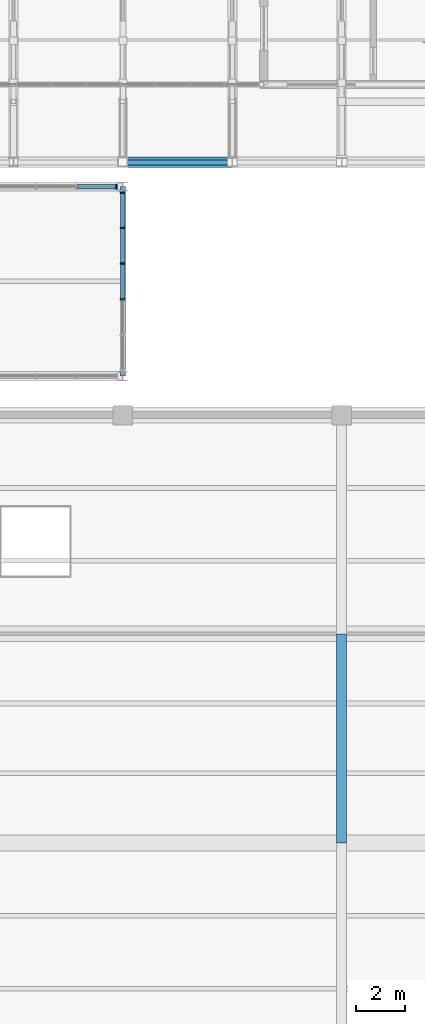
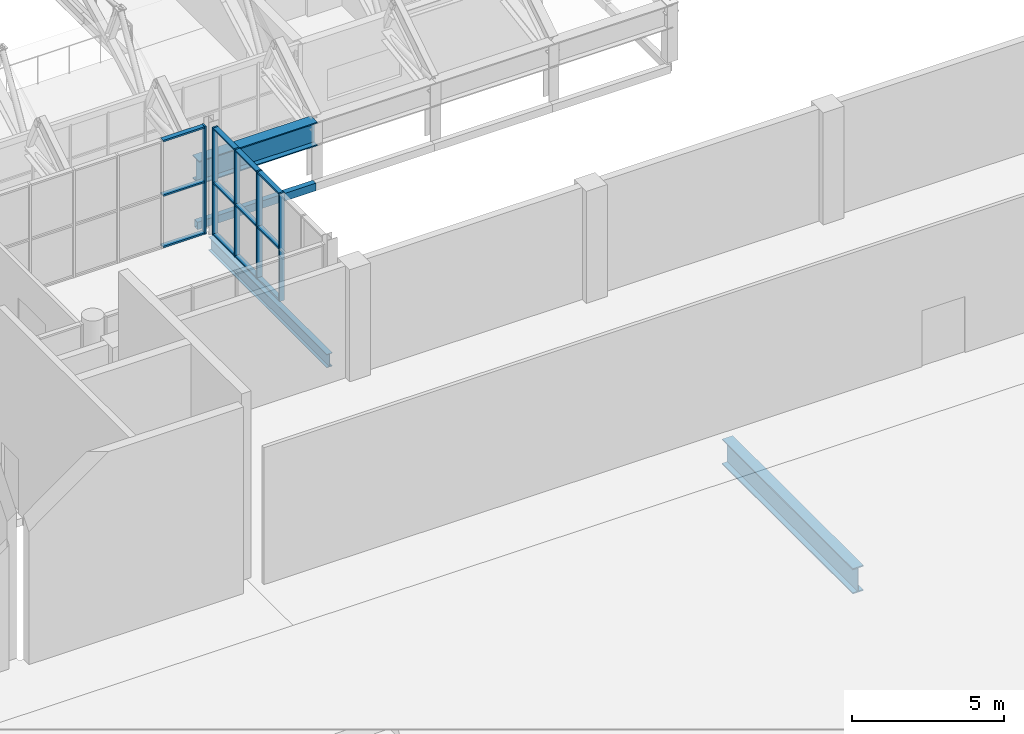
# One storey, part 76 of 134: 17 members, 4 beams, 2 elements without a shape of their own.
"""IFC4 building model written with IfcOpenShell, lengths in metres."""

import ifcopenshell
import ifcopenshell.guid

model = None  # the IFC model being written
_history = None  # IfcOwnerHistory: only IFC2X3 demands one
_inside = {}  # id of a spatial element -> (the spatial element, [elements in it])
_under = {}  # id of a project, library or spatial element -> (it, [spatial elements below it])
_declared = {}  # id of a project -> (the project, [libraries it declares])
_typed = {}  # id of a type object -> (the type object, [elements of that type])
_made_of = {}  # id of a material, layer set ... -> (it, [elements and type objects made of it])


def new_model(schema):
    """Start an empty IFC model of exactly this schema.

    Asked for "IFC4X3", IfcOpenShell would pick the latest addendum, in which some entities
    have other attributes; the version numbers below select the first issue.
    IFC2X3 requires an IfcOwnerHistory on every rooted entity: one is made here for all.
    """
    global model, _history
    if schema == "IFC4X3":
        model = ifcopenshell.file(schema_version=(4, 3, 0, 0))
    else:
        model = ifcopenshell.file(schema=schema)
    _inside.clear()
    _under.clear()
    _declared.clear()
    _typed.clear()
    _made_of.clear()
    _history = None
    if model.schema == "IFC2X3":
        org = make("IfcOrganization", Name="unknown")
        user = make(
            "IfcPersonAndOrganization",
            ThePerson=make("IfcPerson", FamilyName="unknown"),
            TheOrganization=org,
        )
        app = make(
            "IfcApplication",
            ApplicationDeveloper=org,
            Version="unknown",
            ApplicationFullName="unknown",
            ApplicationIdentifier="unknown",
        )
        _history = make(
            "IfcOwnerHistory",
            OwningUser=user,
            OwningApplication=app,
            ChangeAction="ADDED",
            CreationDate=0,
        )
    return model


def make(cls, **values):
    """One entity of the class cls with the attributes given. An attribute that is None is left unset."""
    return model.create_entity(
        cls, **{name: value for name, value in values.items() if value is not None}
    )


def rooted(cls, **values):
    """An entity with a GlobalId (a new one), such as an element, a storey or a relation."""
    return make(cls, GlobalId=ifcopenshell.guid.new(), OwnerHistory=_history, **values)


def si_unit(unit_type, name, prefix=None):
    """IfcSIUnit, for example si_unit("LENGTHUNIT", "METRE", prefix="MILLI")."""
    return make("IfcSIUnit", UnitType=unit_type, Prefix=prefix, Name=name)


def assignment(units):
    """IfcUnitAssignment: the units of a project."""
    return None if units is None else make("IfcUnitAssignment", Units=units)


def point(xyz):
    """IfcCartesianPoint."""
    return None if xyz is None else make("IfcCartesianPoint", Coordinates=xyz)


def direction(xyz):
    """IfcDirection."""
    return None if xyz is None else make("IfcDirection", DirectionRatios=xyz)


def frame(location, z_axis=None, x_axis=None):
    """IfcAxis2Placement3D, a coordinate frame: its origin and axes. An axis left out is left unset."""
    return make(
        "IfcAxis2Placement3D",
        Location=point(location),
        Axis=direction(z_axis),
        RefDirection=direction(x_axis),
    )


def frame_2d(location, x_axis=None):
    """IfcAxis2Placement2D, a coordinate frame in the plane: its origin and x axis."""
    return make(
        "IfcAxis2Placement2D", Location=point(location), RefDirection=direction(x_axis)
    )


def origin():
    """The frame at (0, 0, 0) with its axes left unset."""
    return frame((0.0, 0.0, 0.0))


def origin_2d():
    """The frame at (0, 0) in the plane with its x axis left unset."""
    return frame_2d((0.0, 0.0))


def place(relative_to, where):
    """IfcLocalPlacement: puts the frame where relative to a parent placement (None: the world)."""
    return make(
        "IfcLocalPlacement", PlacementRelTo=relative_to, RelativePlacement=where
    )


def context(
    kind, dimensions, precision=None, world=None, true_north=None, identifier=None
):
    """IfcGeometricRepresentationContext, for example the 3D "Model" context."""
    return make(
        "IfcGeometricRepresentationContext",
        ContextIdentifier=identifier,
        ContextType=kind,
        CoordinateSpaceDimension=dimensions,
        Precision=precision,
        WorldCoordinateSystem=world,
        TrueNorth=true_north,
    )


def subcontext(parent, identifier, kind, view, scale=None):
    """IfcGeometricRepresentationSubContext, for example "Body" below "Model"."""
    return make(
        "IfcGeometricRepresentationSubContext",
        ContextIdentifier=identifier,
        ContextType=kind,
        ParentContext=parent,
        TargetScale=scale,
        TargetView=view,
    )


def project(units=None, contexts=None):
    """IfcProject with its units and contexts."""
    return rooted(
        "IfcProject",
        Name="project",
        RepresentationContexts=contexts,
        UnitsInContext=assignment(units),
    )


def spatial(cls, under=None, at=None, **own):
    """A site, building, storey or space (cls), placed at a placement, below another one or the project."""
    s = rooted(cls, ObjectPlacement=at, **own)
    if under is not None:
        _under.setdefault(under.id(), (under, []))[1].append(s)
    return s


def profile(cls, at=None, kind="AREA", **sizes):
    """A parametric profile (cls). Its sizes go by their IFC names, for example OverallWidth=200.0."""
    return make(cls, ProfileType=kind, Position=at, **sizes)


def rectangle(**sizes):
    """IfcRectangleProfileDef."""
    return profile("IfcRectangleProfileDef", **sizes)


def hollow_rectangle(**sizes):
    """IfcRectangleHollowProfileDef."""
    return profile("IfcRectangleHollowProfileDef", **sizes)


def i_section(**sizes):
    """IfcIShapeProfileDef."""
    return profile("IfcIShapeProfileDef", **sizes)


def extrude(swept, where, along, depth):
    """IfcExtrudedAreaSolid: the profile swept, set in the frame where, extruded along a direction by depth."""
    return make(
        "IfcExtrudedAreaSolid",
        SweptArea=swept,
        Position=where,
        ExtrudedDirection=direction(along),
        Depth=depth,
    )


def shape(context_of_items, identifier, shape_type, items):
    """IfcShapeRepresentation: the items that make up one representation, for example the "Body"."""
    return make(
        "IfcShapeRepresentation",
        ContextOfItems=context_of_items,
        RepresentationIdentifier=identifier,
        RepresentationType=shape_type,
        Items=items,
    )


def material(Name=None, Category=None):
    """IfcMaterial."""
    return make("IfcMaterial", Name=Name, Category=Category)


def layer(
    of_material, thickness, ventilated=None, Name=None, Category=None, Priority=None
):
    """IfcMaterialLayer: one layer of a wall or slab, of a material (None: an air gap)."""
    return make(
        "IfcMaterialLayer",
        Material=of_material,
        LayerThickness=thickness,
        IsVentilated=ventilated,
        Name=Name,
        Category=Category,
        Priority=Priority,
    )


def layer_set(layers, Name=None):
    """IfcMaterialLayerSet."""
    return make("IfcMaterialLayerSet", MaterialLayers=layers, LayerSetName=Name)


def material_profile(
    of_material, cross_section, Name=None, Category=None, Priority=None
):
    """IfcMaterialProfile: a cross section and its material."""
    return make(
        "IfcMaterialProfile",
        Name=Name,
        Material=of_material,
        Profile=cross_section,
        Priority=Priority,
        Category=Category,
    )


def profile_set(profiles, Name=None, composite=None):
    """IfcMaterialProfileSet."""
    return make(
        "IfcMaterialProfileSet",
        Name=Name,
        MaterialProfiles=profiles,
        CompositeProfile=composite,
    )


def made_of(thing, what):
    """Note that an element or type object is made of a material, layer set ...; save() writes the relation."""
    if what is not None:
        _made_of.setdefault(what.id(), (what, []))[1].append(thing)
    return thing


def type_object(cls, material=None, **own):
    """A type object (cls), such as IfcWallType, which elements share."""
    return made_of(rooted(cls, **own), material)


def element(
    cls,
    number,
    at=None,
    inside=None,
    cuts=None,
    type_object=None,
    material=None,
    context=None,
    identifier="Body",
    shape_type=None,
    held_by="IfcProductDefinitionShape",
    body=None,
    shapes=None,
    **own,
):
    """One element of the class cls, such as IfcWall. Its Tag is "e" and its number.

    at: its placement. inside: the storey or other place that contains it. cuts: it is an
    opening in that element (IfcRelVoidsElement). A single representation is given by context,
    identifier, shape_type and body (its items); several are given by shapes. held_by: the class
    of the entity that holds the representations. save() writes the other relations.
    """
    e = rooted(cls, Tag="e%d" % number, ObjectPlacement=at, **own)
    if body is not None:
        shapes = [shape(context, identifier, shape_type, body)]
    if shapes is not None:
        e.Representation = make(held_by, Representations=shapes)
    if inside is not None:
        _inside.setdefault(inside.id(), (inside, []))[1].append(e)
    if cuts is not None:
        rooted(
            "IfcRelVoidsElement", RelatingBuildingElement=cuts, RelatedOpeningElement=e
        )
    if type_object is not None:
        _typed.setdefault(type_object.id(), (type_object, []))[1].append(e)
    return made_of(e, material)


def aggregate(whole, parts):
    """IfcRelAggregates: a whole, such as a stair, and the parts it consists of."""
    return rooted("IfcRelAggregates", RelatingObject=whole, RelatedObjects=parts)


def save(model, path):
    """Write the relations noted so far, then the file.

    IfcRelAggregates (storeys below a building ...), IfcRelContainedInSpatialStructure (elements
    in a storey), IfcRelDefinesByType, IfcRelAssociatesMaterial and IfcRelDeclares: one each for
    every whole, place, type object, material and project.
    """
    for whole, parts in _under.values():
        aggregate(whole, parts)
    for where, things in _inside.values():
        rooted(
            "IfcRelContainedInSpatialStructure",
            RelatedElements=things,
            RelatingStructure=where,
        )
    for kind, things in _typed.values():
        rooted("IfcRelDefinesByType", RelatedObjects=things, RelatingType=kind)
    for what, things in _made_of.values():
        rooted("IfcRelAssociatesMaterial", RelatedObjects=things, RelatingMaterial=what)
    for by, libraries in _declared.values():
        rooted("IfcRelDeclares", RelatingContext=by, RelatedDefinitions=libraries)
    model.write(path)


model = new_model("IFC4")

# Units and contexts
model_context = context("Model", 3, precision=1e-05, world=origin(), true_north=direction((0.0, 1.0)))
body_context = subcontext(model_context, "Body", "Model", "MODEL_VIEW")
ifc_project = project(units=[si_unit("LENGTHUNIT", "METRE"), si_unit("AREAUNIT", "SQUARE_METRE"), si_unit("VOLUMEUNIT", "CUBIC_METRE"), si_unit("PLANEANGLEUNIT", "RADIAN"), si_unit("MASSUNIT", "GRAM", prefix="KILO")], contexts=[model_context])

# Site, building, storey
site_placement = place(None, origin())
site = spatial("IfcSite", under=ifc_project, at=site_placement, CompositionType="ELEMENT")
building_placement = place(site_placement, origin())
building = spatial("IfcBuilding", under=site, at=building_placement, Name="Cazmaro Siding Exhibition Halls", CompositionType="ELEMENT")
storey_placement = place(building_placement, frame((0.0, 0.0, 12.0)))
storey = spatial("IfcBuildingStorey", under=building, at=storey_placement, Name="L02", CompositionType="ELEMENT", Elevation=12.0)

# Beam
ifc_material_1 = material(Name="Steel ASTM A992 Grade 50", Category="steel")
ifc_material_profile_1 = material_profile(ifc_material_1, i_section(OverallWidth=0.2099609375, OverallDepth=0.535888671875, WebThickness=0.010986328125, FlangeThickness=0.01708984375, at=origin_2d()), Name="W21X68")
ifc_profile_set_1 = profile_set([ifc_material_profile_1], Name="Steel ASTM A992 Grade 50")
beam_type_1 = type_object("IfcBeamType", Name="B-02", PredefinedType="BEAM", material=ifc_profile_set_1)
beam_1_placement = place(storey_placement, frame((153.0, 55.199951171875, -0.488037109375), z_axis=(0.0, 1.0, 0.0), x_axis=(-1.0, 0.0, 0.0)))
element("IfcBeam", 1, at=beam_1_placement, inside=storey, type_object=beam_type_1, Name="Beam B-02 BM-1724", PredefinedType="BEAM", context=body_context, shape_type="SweptSolid", body=[
    extrude(i_section(OverallWidth=0.2099609375, OverallDepth=0.535888671875, WebThickness=0.010986328125, FlangeThickness=0.01708984375, at=origin_2d()), origin(), (0.0, 0.0, 1.0), 7.800048828125),
])

# Curtain wall, member
ifc_material_2 = material(Name="Anodized Bronze Aluminum and Solar-Control Low-E Glazing", Category="aluminium")
ifc_layer = layer(ifc_material_2, 0.199951171875)
ifc_layer_set = layer_set([ifc_layer], Name="Anodized Bronze Aluminum and Solar-Control Low-E Glazing")
curtain_wall_type = type_object("IfcCurtainWallType", Name="CWS-02", PredefinedType="USERDEFINED", material=ifc_layer_set)
curtain_wall_1_placement = place(storey_placement, origin())
curtain_wall_1 = element("IfcCurtainWall", 2, at=curtain_wall_1_placement, inside=storey, type_object=curtain_wall_type, Name="Glazed Curtain Wall CWS-02 CW-204", ObjectType="GLAZED CURTAIN WALL", PredefinedType="USERDEFINED")
ifc_material_3 = material(Name="Anodized Bronze Extruded Aluminum", Category="aluminium")
ifc_material_profile_2 = material_profile(ifc_material_3, rectangle(XDim=0.199951171875, YDim=0.06494140625, at=origin_2d()), Name="CWM-02")
ifc_profile_set_2 = profile_set([ifc_material_profile_2], Name="Anodized Bronze Extruded Aluminum")
member_type_1 = type_object("IfcMemberType", Name="CWM-02", PredefinedType="MULLION", material=ifc_profile_set_2)
member_1_placement = place(storey_placement, frame((152.737548828125, 63.0, 0.0), z_axis=(0.0, 0.0, 1.0), x_axis=(0.0, -1.0, 0.0)))
member_1 = element("IfcMember", 3, at=member_1_placement, type_object=member_type_1, Name="CWS-02 mullion 1", PredefinedType="MULLION", context=body_context, shape_type="SweptSolid", body=[
    extrude(rectangle(XDim=0.199951171875, YDim=0.06494140625, at=origin_2d()), origin(), (0.0, 0.0, 1.0), 4.324951171875),
])

# Curtain wall, members
curtain_wall_2_placement = place(storey_placement, origin())
curtain_wall_2 = element("IfcCurtainWall", 4, at=curtain_wall_2_placement, inside=storey, type_object=curtain_wall_type, Name="Glazed Curtain Wall CWS-02 CW-209", ObjectType="GLAZED CURTAIN WALL", PredefinedType="USERDEFINED")
member_2_placement = place(storey_placement, frame((153.0, 58.365478515625, 0.0), z_axis=(0.0, 0.0, 1.0), x_axis=(-1.0, 0.0, 0.0)))
member_2 = element("IfcMember", 5, at=member_2_placement, type_object=member_type_1, Name="CWS-02 mullion 3", PredefinedType="MULLION", context=body_context, shape_type="SweptSolid", body=[
    extrude(rectangle(XDim=0.199951171875, YDim=0.06494140625, at=origin_2d()), origin(), (0.0, 0.0, 1.0), 4.324951171875),
])
member_3_placement = place(storey_placement, frame((153.0, 59.834716796875, 0.0), z_axis=(0.0, 0.0, 1.0), x_axis=(-1.0, 0.0, 0.0)))
member_3 = element("IfcMember", 6, at=member_3_placement, type_object=member_type_1, Name="CWS-02 mullion 4", PredefinedType="MULLION", context=body_context, shape_type="SweptSolid", body=[
    extrude(rectangle(XDim=0.199951171875, YDim=0.06494140625, at=origin_2d()), origin(), (0.0, 0.0, 1.0), 4.324951171875),
])
member_4_placement = place(storey_placement, frame((153.0, 61.3037109375, 0.0), z_axis=(0.0, 0.0, 1.0), x_axis=(-1.0, 0.0, 0.0)))
member_4 = element("IfcMember", 7, at=member_4_placement, type_object=member_type_1, Name="CWS-02 mullion 5", PredefinedType="MULLION", context=body_context, shape_type="SweptSolid", body=[
    extrude(rectangle(XDim=0.199951171875, YDim=0.06494140625, at=origin_2d()), origin(), (0.0, 0.0, 1.0), 4.324951171875),
])
member_5_placement = place(storey_placement, frame((153.0, 62.740478515625, 0.0), z_axis=(0.0, 0.0, 1.0), x_axis=(-1.0, 0.0, 0.0)))
member_5 = element("IfcMember", 8, at=member_5_placement, type_object=member_type_1, Name="CWS-02 mullion 6", PredefinedType="MULLION", context=body_context, shape_type="SweptSolid", body=[
    extrude(rectangle(XDim=0.199951171875, YDim=0.06494140625, at=origin_2d()), origin(), (0.0, 0.0, 1.0), 4.324951171875),
])

# Member
ifc_material_4 = material(Name="Anodized Bronze Extruded Aluminum", Category="aluminium")
ifc_material_profile_3 = material_profile(ifc_material_4, rectangle(XDim=0.179931640625, YDim=0.06494140625, at=origin_2d()), Name="CWT-02")
ifc_profile_set_3 = profile_set([ifc_material_profile_3], Name="Anodized Bronze Extruded Aluminum")
member_type_2 = type_object("IfcMemberType", Name="CWT-02", PredefinedType="MULLION", material=ifc_profile_set_3)
member_6_placement = place(storey_placement, frame((152.705078125, 63.0, 0.032470703125), z_axis=(-1.0, 0.0, 0.0), x_axis=(0.0, -1.0, 0.0)))
member_6 = element("IfcMember", 9, at=member_6_placement, type_object=member_type_2, Name="CWS-02 transom 1.1", ObjectType="TRANSOM", PredefinedType="USERDEFINED", context=body_context, shape_type="SweptSolid", body=[
    extrude(rectangle(XDim=0.179931640625, YDim=0.06494140625, at=origin_2d()), origin(), (0.0, 0.0, 1.0), 1.574951171875),
])

member_7_placement = place(storey_placement, frame((152.705078125, 63.0, 2.10009765625), z_axis=(-1.0, 0.0, 0.0), x_axis=(0.0, -1.0, 0.0)))
member_7 = element("IfcMember", 10, at=member_7_placement, type_object=member_type_2, Name="CWS-02 transom 1.2", ObjectType="TRANSOM", PredefinedType="USERDEFINED", context=body_context, shape_type="SweptSolid", body=[
    extrude(rectangle(XDim=0.179931640625, YDim=0.06494140625, at=origin_2d()), origin(), (0.0, 0.0, 1.0), 1.574951171875),
])

member_8_placement = place(storey_placement, frame((152.705078125, 63.0, 4.29248046875), z_axis=(-1.0, 0.0, 0.0), x_axis=(0.0, -1.0, 0.0)))
member_8 = element("IfcMember", 11, at=member_8_placement, type_object=member_type_2, Name="CWS-02 transom 1.3", ObjectType="TRANSOM", PredefinedType="USERDEFINED", context=body_context, shape_type="SweptSolid", body=[
    extrude(rectangle(XDim=0.179931640625, YDim=0.06494140625, at=origin_2d()), origin(), (0.0, 0.0, 1.0), 1.574951171875),
])

aggregate(curtain_wall_1, [member_1, member_6, member_7, member_8])

member_9_placement = place(storey_placement, frame((153.0, 58.39794921875, 0.032470703125), z_axis=(0.0, 1.0, 0.0), x_axis=(-1.0, 0.0, 0.0)))
member_9 = element("IfcMember", 12, at=member_9_placement, type_object=member_type_2, Name="CWS-02 transom 3.1", ObjectType="TRANSOM", PredefinedType="USERDEFINED", context=body_context, shape_type="SweptSolid", body=[
    extrude(rectangle(XDim=0.179931640625, YDim=0.06494140625, at=origin_2d()), origin(), (0.0, 0.0, 1.0), 1.404052734375),
])

member_10_placement = place(storey_placement, frame((153.0, 58.39794921875, 2.10009765625), z_axis=(0.0, 1.0, 0.0), x_axis=(-1.0, 0.0, 0.0)))
member_10 = element("IfcMember", 13, at=member_10_placement, type_object=member_type_2, Name="CWS-02 transom 3.2", ObjectType="TRANSOM", PredefinedType="USERDEFINED", context=body_context, shape_type="SweptSolid", body=[
    extrude(rectangle(XDim=0.179931640625, YDim=0.06494140625, at=origin_2d()), origin(), (0.0, 0.0, 1.0), 1.404052734375),
])

member_11_placement = place(storey_placement, frame((153.0, 58.39794921875, 4.29248046875), z_axis=(0.0, 1.0, 0.0), x_axis=(-1.0, 0.0, 0.0)))
member_11 = element("IfcMember", 14, at=member_11_placement, type_object=member_type_2, Name="CWS-02 transom 3.3", ObjectType="TRANSOM", PredefinedType="USERDEFINED", context=body_context, shape_type="SweptSolid", body=[
    extrude(rectangle(XDim=0.179931640625, YDim=0.06494140625, at=origin_2d()), origin(), (0.0, 0.0, 1.0), 1.404052734375),
])

member_12_placement = place(storey_placement, frame((153.0, 59.8671875, 0.032470703125), z_axis=(0.0, 1.0, 0.0), x_axis=(-1.0, 0.0, 0.0)))
member_12 = element("IfcMember", 15, at=member_12_placement, type_object=member_type_2, Name="CWS-02 transom 4.1", ObjectType="TRANSOM", PredefinedType="USERDEFINED", context=body_context, shape_type="SweptSolid", body=[
    extrude(rectangle(XDim=0.179931640625, YDim=0.06494140625, at=origin_2d()), origin(), (0.0, 0.0, 1.0), 1.404052734375),
])

member_13_placement = place(storey_placement, frame((153.0, 59.8671875, 2.10009765625), z_axis=(0.0, 1.0, 0.0), x_axis=(-1.0, 0.0, 0.0)))
member_13 = element("IfcMember", 16, at=member_13_placement, type_object=member_type_2, Name="CWS-02 transom 4.2", ObjectType="TRANSOM", PredefinedType="USERDEFINED", context=body_context, shape_type="SweptSolid", body=[
    extrude(rectangle(XDim=0.179931640625, YDim=0.06494140625, at=origin_2d()), origin(), (0.0, 0.0, 1.0), 1.404052734375),
])

member_14_placement = place(storey_placement, frame((153.0, 59.8671875, 4.29248046875), z_axis=(0.0, 1.0, 0.0), x_axis=(-1.0, 0.0, 0.0)))
member_14 = element("IfcMember", 17, at=member_14_placement, type_object=member_type_2, Name="CWS-02 transom 4.3", ObjectType="TRANSOM", PredefinedType="USERDEFINED", context=body_context, shape_type="SweptSolid", body=[
    extrude(rectangle(XDim=0.179931640625, YDim=0.06494140625, at=origin_2d()), origin(), (0.0, 0.0, 1.0), 1.404052734375),
])

member_15_placement = place(storey_placement, frame((153.0, 61.336181640625, 0.032470703125), z_axis=(0.0, 1.0, 0.0), x_axis=(-1.0, 0.0, 0.0)))
member_15 = element("IfcMember", 18, at=member_15_placement, type_object=member_type_2, Name="CWS-02 transom 5.1", ObjectType="TRANSOM", PredefinedType="USERDEFINED", context=body_context, shape_type="SweptSolid", body=[
    extrude(rectangle(XDim=0.179931640625, YDim=0.06494140625, at=origin_2d()), origin(), (0.0, 0.0, 1.0), 1.371826171875),
])

member_16_placement = place(storey_placement, frame((153.0, 61.336181640625, 2.10009765625), z_axis=(0.0, 1.0, 0.0), x_axis=(-1.0, 0.0, 0.0)))
member_16 = element("IfcMember", 19, at=member_16_placement, type_object=member_type_2, Name="CWS-02 transom 5.2", ObjectType="TRANSOM", PredefinedType="USERDEFINED", context=body_context, shape_type="SweptSolid", body=[
    extrude(rectangle(XDim=0.179931640625, YDim=0.06494140625, at=origin_2d()), origin(), (0.0, 0.0, 1.0), 1.371826171875),
])

member_17_placement = place(storey_placement, frame((153.0, 61.336181640625, 4.29248046875), z_axis=(0.0, 1.0, 0.0), x_axis=(-1.0, 0.0, 0.0)))
member_17 = element("IfcMember", 20, at=member_17_placement, type_object=member_type_2, Name="CWS-02 transom 5.3", ObjectType="TRANSOM", PredefinedType="USERDEFINED", context=body_context, shape_type="SweptSolid", body=[
    extrude(rectangle(XDim=0.179931640625, YDim=0.06494140625, at=origin_2d()), origin(), (0.0, 0.0, 1.0), 1.371826171875),
])

aggregate(curtain_wall_2, [member_2, member_3, member_4, member_5, member_9, member_10, member_11, member_12, member_13, member_14, member_15, member_16, member_17])

# Beams
ifc_material_5 = material(Name="Steel ASTM A992 Grade 50", Category="steel")
ifc_material_profile_4 = material_profile(ifc_material_5, i_section(OverallWidth=0.424072265625, OverallDepth=0.947021484375, WebThickness=0.02392578125, FlangeThickness=0.04296875, at=origin_2d()), Name="W36X302")
ifc_profile_set_4 = profile_set([ifc_material_profile_4], Name="Steel ASTM A992 Grade 50")
beam_type_2 = type_object("IfcBeamType", Name="G-01", PredefinedType="USERDEFINED", material=ifc_profile_set_4)
beam_2_placement = place(storey_placement, frame((153.0, 64.0, 1.826904296875), z_axis=(1.0, 0.0, 0.0), x_axis=(0.0, 1.0, 0.0)))
element("IfcBeam", 21, at=beam_2_placement, inside=storey, type_object=beam_type_2, Name="Beam G-01 BM-0207", ObjectType="GIRDER", PredefinedType="USERDEFINED", context=body_context, shape_type="SweptSolid", body=[
    extrude(i_section(OverallWidth=0.424072265625, OverallDepth=0.947021484375, WebThickness=0.02392578125, FlangeThickness=0.04296875, at=origin_2d()), origin(), (0.0, 0.0, 1.0), 4.5),
])
ifc_material_6 = material(Name="Steel ASTM A992 Grade 50", Category="steel")
ifc_material_profile_5 = material_profile(ifc_material_6, i_section(OverallWidth=0.404052734375, OverallDepth=1.02099609375, WebThickness=0.02490234375, FlangeThickness=0.0458984375, at=origin_2d()), Name="W40X324")
ifc_profile_set_5 = profile_set([ifc_material_profile_5], Name="Steel ASTM A992 Grade 50")
beam_type_3 = type_object("IfcBeamType", Name="G-06", PredefinedType="USERDEFINED", material=ifc_profile_set_5)
beam_3_placement = place(storey_placement, frame((162.0, 36.0, -0.81103515625), z_axis=(0.0, 1.0, 0.0), x_axis=(-1.0, 0.0, 0.0)))
element("IfcBeam", 22, at=beam_3_placement, inside=storey, type_object=beam_type_3, Name="Beam G-06 BM-1464", ObjectType="GIRDER", PredefinedType="USERDEFINED", context=body_context, shape_type="SweptSolid", body=[
    extrude(i_section(OverallWidth=0.404052734375, OverallDepth=1.02099609375, WebThickness=0.02490234375, FlangeThickness=0.0458984375, at=origin_2d()), origin(), (0.0, 0.0, 1.0), 8.60009765625),
])
ifc_material_7 = material(Name="Steel ASTM A500 Grade C", Category="steel")
ifc_material_profile_6 = material_profile(ifc_material_7, hollow_rectangle(XDim=0.202880859375, YDim=0.304931640625, WallThickness=0.011962890625, at=origin_2d()), Name="HSS12X8X1/2")
ifc_profile_set_6 = profile_set([ifc_material_profile_6], Name="Steel ASTM A500 Grade C")
beam_type_4 = type_object("IfcBeamType", Name="SP-01", PredefinedType="SPANDREL", material=ifc_profile_set_6)
beam_4_placement = place(storey_placement, frame((153.0, 64.0, -0.373046875), z_axis=(1.0, 0.0, 0.0), x_axis=(0.0, 1.0, 0.0)))
element("IfcBeam", 23, at=beam_4_placement, inside=storey, type_object=beam_type_4, Name="Beam SP-01 BM-0206", PredefinedType="SPANDREL", context=body_context, shape_type="SweptSolid", body=[
    extrude(hollow_rectangle(XDim=0.202880859375, YDim=0.304931640625, WallThickness=0.011962890625, at=origin_2d()), origin(), (0.0, 0.0, 1.0), 4.5),
])

save(model, "model.ifc")
